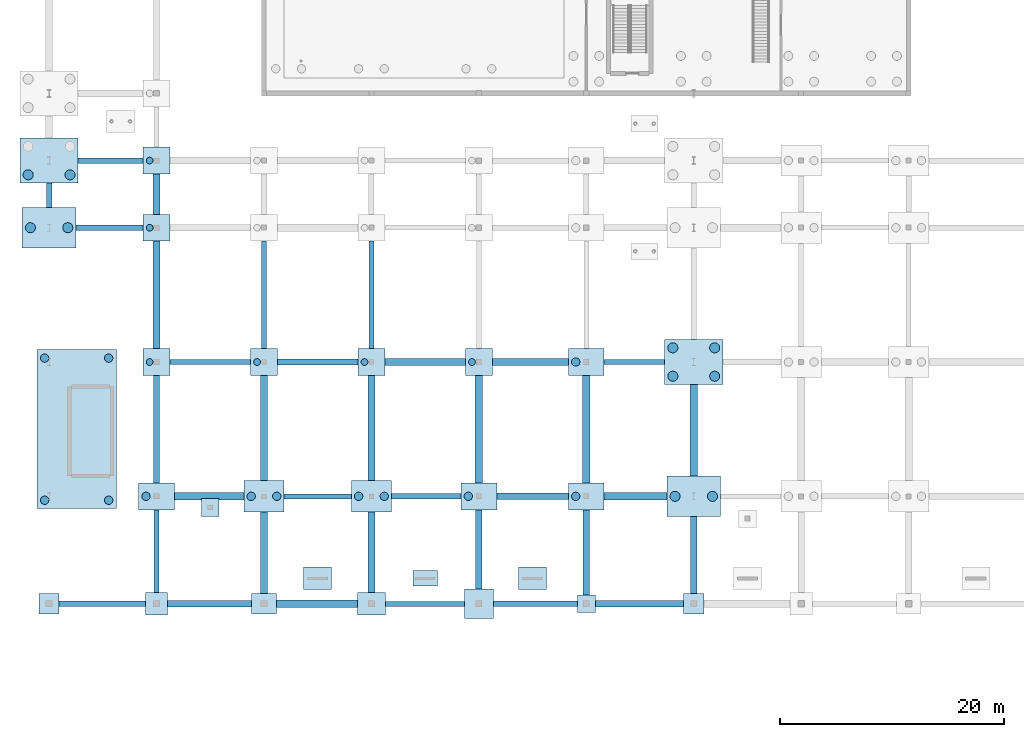
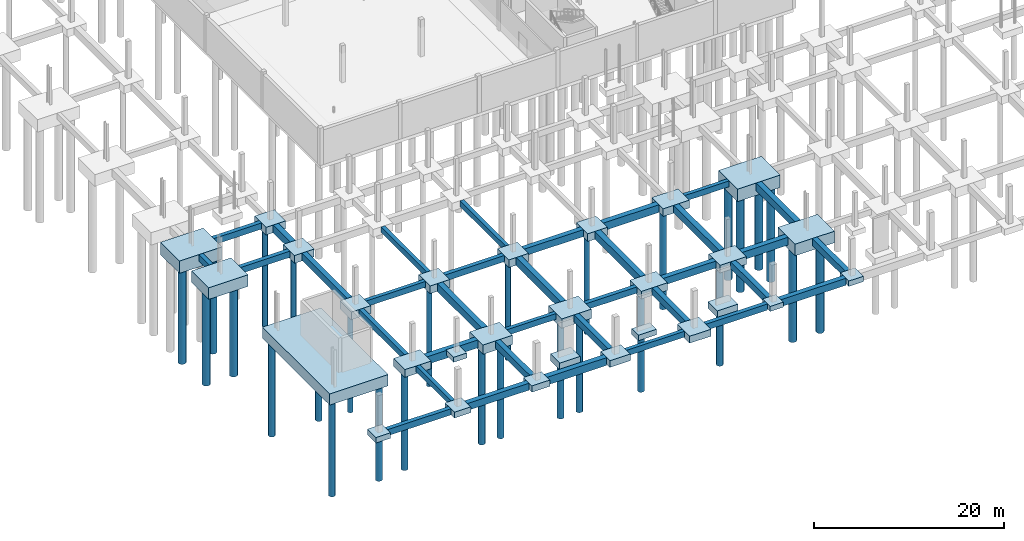
# One storey, part 1 of 31: 63 footings, 28 piles.
"""IFC4 building model written with IfcOpenShell, lengths in metres."""

from ifc_helpers import new_model, si_unit, direction, frame, origin, origin_2d, place, context, subcontext, project, spatial, rectangle, circle, extrude, material, layer, layer_set, material_profile, profile_set, type_object, element, save


model = new_model("IFC4")

# Units and contexts
model_context = context("Model", 3, precision=1e-05, world=origin(), true_north=direction((0.0, 1.0)))
body_context = subcontext(model_context, "Body", "Model", "MODEL_VIEW")
ifc_project = project(units=[si_unit("LENGTHUNIT", "METRE"), si_unit("AREAUNIT", "SQUARE_METRE"), si_unit("VOLUMEUNIT", "CUBIC_METRE"), si_unit("PLANEANGLEUNIT", "RADIAN"), si_unit("MASSUNIT", "GRAM", prefix="KILO")], contexts=[model_context])

# Site, building, storey
site_placement = place(None, origin())
site = spatial("IfcSite", under=ifc_project, at=site_placement, CompositionType="ELEMENT")
building_placement = place(site_placement, origin())
building = spatial("IfcBuilding", under=site, at=building_placement, Name="Merenkruunu Market Hall", CompositionType="ELEMENT")
storey_placement = place(building_placement, frame((0.0, 0.0, -4.800048828125)))
storey = spatial("IfcBuildingStorey", under=building, at=storey_placement, Name="B1", CompositionType="ELEMENT", Elevation=-4.800048828125)

# Footings
ifc_material = material(Name="Concrete C35/45", Category="concrete")
ifc_layer_1 = layer(ifc_material, 1.0)
ifc_layer_set_1 = layer_set([ifc_layer_1], Name="Concrete C35/45")
footing_type_1 = type_object("IfcFootingType", Name="Multi Pile Cap PC01", PredefinedType="PILE_CAP", material=ifc_layer_set_1)
for number, where, z_axis, x_axis, name in (
    (1, (9.60009765625, 27.60009765625, -1.0), (0.0, 0.0, 1.0), (1.0, 0.0, 0.0), "FTG-CAP-B-04"),
    (2, (9.60009765625, 39.60009765625, -1.0), (0.0, 0.0, 1.0), (1.0, 0.0, 0.0), "FTG-CAP-B-05"),
    (3, (9.60009765625, 45.60009765625, -1.0), (0.0, 0.0, 1.0), (1.0, 0.0, 0.0), "FTG-CAP-B-06"),
    (4, (19.199951171875, 27.60009765625, -1.0), (0.0, 0.0, 1.0), (1.0, 0.0, 0.0), "FTG-CAP-C-04"),
    (5, (28.800048828125, 27.60009765625, -1.0), (0.0, 0.0, 1.0), (1.0, 0.0, 0.0), "FTG-CAP-D-04"),
    (6, (38.39990234375, 27.60009765625, -1.0), (0.0, 0.0, 1.0), (1.0, 0.0, 0.0), "FTG-CAP-E-04"),
):
    element("IfcFooting", number, at=place(storey_placement, frame(where, z_axis=z_axis, x_axis=x_axis)), inside=storey, type_object=footing_type_1, Name=name, PredefinedType="PILE_CAP", context=body_context, shape_type="SweptSolid", body=[
        extrude(rectangle(XDim=2.39990234375, YDim=2.39990234375, at=origin_2d()), origin(), (0.0, 0.0, 1.0), 1.0),
    ])
ifc_layer_2 = layer(ifc_material, 1.0)
ifc_layer_set_2 = layer_set([ifc_layer_2], Name="Concrete C35/45")
footing_type_2 = type_object("IfcFootingType", Name="Multi Pile Cap PC03", PredefinedType="PILE_CAP", material=ifc_layer_set_2)
for number, where, z_axis, x_axis, name in (
    (7, (9.60009765625, 15.60009765625, -1.0), (0.0, 0.0, 1.0), (1.0, 0.0, 0.0), "FTG-CAP-B-03"),
    (8, (38.39990234375, 15.60009765625, -1.0), (0.0, 0.0, 1.0), (1.0, 0.0, 0.0), "FTG-CAP-E-03"),
    (9, (48.0, 15.60009765625, -1.0), (0.0, 0.0, 1.0), (1.0, 0.0, 0.0), "FTG-CAP-F-03"),
    (10, (48.0, 27.60009765625, -1.0), (0.0, 0.0, 1.0), (1.0, 0.0, 0.0), "FTG-CAP-F-04"),
):
    element("IfcFooting", number, at=place(storey_placement, frame(where, z_axis=z_axis, x_axis=x_axis)), inside=storey, type_object=footing_type_2, Name=name, PredefinedType="PILE_CAP", context=body_context, shape_type="SweptSolid", body=[
        extrude(rectangle(XDim=3.199951171875, YDim=2.39990234375, at=origin_2d()), origin(), (0.0, 0.0, 1.0), 1.0),
    ])
ifc_layer_3 = layer(ifc_material, 1.199951171875)
ifc_layer_set_3 = layer_set([ifc_layer_3], Name="Concrete C35/45")
footing_type_3 = type_object("IfcFootingType", Name="Multi Pile Cap PC04", PredefinedType="PILE_CAP", material=ifc_layer_set_3)
for number, where, z_axis, x_axis, name in (
    (11, (19.199951171875, 15.60009765625, -1.19970703125), (0.0, 0.0, 1.0), (1.0, 0.0, 0.0), "FTG-CAP-C-03"),
    (12, (28.800048828125, 15.60009765625, -1.19970703125), (0.0, 0.0, 1.0), (1.0, 0.0, 0.0), "FTG-CAP-D-03"),
):
    element("IfcFooting", number, at=place(storey_placement, frame(where, z_axis=z_axis, x_axis=x_axis)), inside=storey, type_object=footing_type_3, Name=name, PredefinedType="PILE_CAP", context=body_context, shape_type="SweptSolid", body=[
        extrude(rectangle(XDim=3.60009765625, YDim=2.800048828125, at=origin_2d()), origin(), (0.0, 0.0, 1.0), 1.199951171875),
    ])
ifc_layer_4 = layer(ifc_material, 1.5)
ifc_layer_set_4 = layer_set([ifc_layer_4], Name="Concrete C35/45")
footing_type_4 = type_object("IfcFootingType", Name="Multi Pile Cap PC07", PredefinedType="PILE_CAP", material=ifc_layer_set_4)
for number, where, z_axis, x_axis, name in (
    (13, (0.0, 39.60009765625, -1.5), (0.0, 0.0, 1.0), (1.0, 0.0, 0.0), "FTG-CAP-A-05"),
    (14, (57.60009765625, 15.60009765625, -1.5), (0.0, 0.0, 1.0), (1.0, 0.0, 0.0), "FTG-CAP-G-03"),
):
    element("IfcFooting", number, at=place(storey_placement, frame(where, z_axis=z_axis, x_axis=x_axis)), inside=storey, type_object=footing_type_4, Name=name, PredefinedType="PILE_CAP", context=body_context, shape_type="SweptSolid", body=[
        extrude(rectangle(XDim=4.800048828125, YDim=3.60009765625, at=origin_2d()), origin(), (0.0, 0.0, 1.0), 1.5),
    ])
ifc_layer_5 = layer(ifc_material, 1.60009765625)
ifc_layer_set_5 = layer_set([ifc_layer_5], Name="Concrete C35/45")
footing_type_5 = type_object("IfcFootingType", Name="Multi Pile Cap PC08", PredefinedType="PILE_CAP", material=ifc_layer_set_5)
for number, where, z_axis, x_axis, name in (
    (15, (0.0, 45.60009765625, -1.60009765625), (0.0, 0.0, 1.0), (1.0, 0.0, 0.0), "FTG-CAP-A-06"),
    (16, (57.60009765625, 27.60009765625, -1.60009765625), (0.0, 0.0, 1.0), (1.0, 0.0, 0.0), "FTG-CAP-G-04"),
):
    element("IfcFooting", number, at=place(storey_placement, frame(where, z_axis=z_axis, x_axis=x_axis)), inside=storey, type_object=footing_type_5, Name=name, PredefinedType="PILE_CAP", context=body_context, shape_type="SweptSolid", body=[
        extrude(rectangle(XDim=5.199951171875, YDim=4.0, at=origin_2d()), origin(), (0.0, 0.0, 1.0), 1.60009765625),
    ])
ifc_layer_6 = layer(ifc_material, 1.449951171875)
ifc_layer_set_6 = layer_set([ifc_layer_6], Name="Concrete C35/45")
footing_type_6 = type_object("IfcFootingType", Name="Multi Pile Cap PC09", PredefinedType="PILE_CAP", material=ifc_layer_set_6)
footing_1_placement = place(storey_placement, frame((2.4599609375, 21.60009765625, -1.44970703125), z_axis=(0.0, 0.0, 1.0), x_axis=(1.0, 0.0, 0.0)))
element("IfcFooting", 17, at=footing_1_placement, inside=storey, type_object=footing_type_6, Name="FTG-CORECAP-K2", PredefinedType="PILE_CAP", context=body_context, shape_type="SweptSolid", body=[
    extrude(rectangle(XDim=7.1201171875, YDim=14.199951171875, at=origin_2d()), origin(), (0.0, 0.0, 1.0), 1.449951171875),
])

# Piles
ifc_material_profile_1 = material_profile(ifc_material, circle(Radius=0.300048828125, at=origin_2d()), Name="BORED PILE 600")
ifc_profile_set_1 = profile_set([ifc_material_profile_1], Name="Concrete C35/45")
pile_type_1 = type_object("IfcPileType", Name="Rock Socketed Bored Pile P01", PredefinedType="BORED", material=ifc_profile_set_1)
for number, where, z_axis, x_axis, name in (
    (18, (8.97998046875, 27.60009765625, -0.89990234375), (0.0, 0.0, -1.0), (1.0, 0.0, 0.0), "PILE-P01-0221"),
    (19, (8.97998046875, 39.60009765625, -0.89990234375), (0.0, 0.0, -1.0), (1.0, 0.0, 0.0), "PILE-P01-0222"),
    (20, (8.97998046875, 45.60009765625, -0.89990234375), (0.0, 0.0, -1.0), (1.0, 0.0, 0.0), "PILE-P01-0223"),
    (21, (18.580078125, 27.60009765625, -0.89990234375), (0.0, 0.0, -1.0), (1.0, 0.0, 0.0), "PILE-P01-0232"),
    (22, (28.179931640625, 27.60009765625, -0.89990234375), (0.0, 0.0, -1.0), (1.0, 0.0, 0.0), "PILE-P01-0237"),
    (23, (37.780029296875, 27.60009765625, -0.89990234375), (0.0, 0.0, -1.0), (1.0, 0.0, 0.0), "PILE-P01-0241"),
):
    element("IfcPile", number, at=place(storey_placement, frame(where, z_axis=z_axis, x_axis=x_axis)), inside=storey, type_object=pile_type_1, Name=name, PredefinedType="BORED", context=body_context, shape_type="SweptSolid", body=[
        extrude(circle(Radius=0.300048828125, at=origin_2d()), origin(), (0.0, 0.0, 1.0), 12.800048828125),
    ])
ifc_material_profile_2 = material_profile(ifc_material, circle(Radius=0.375, at=origin_2d()), Name="BORED PILE 750")
ifc_profile_set_2 = profile_set([ifc_material_profile_2], Name="Concrete C35/45")
pile_type_2 = type_object("IfcPileType", Name="Rock Socketed Bored Pile P02", PredefinedType="BORED", material=ifc_profile_set_2)
for number, where, z_axis, x_axis, name in (
    (24, (-0.39990234375, 15.25, -1.349853515625), (0.0, 0.0, -1.0), (1.0, 0.0, 0.0), "PILE-P02-0172"),
    (25, (5.320068359375, 15.25, -1.349853515625), (0.0, 0.0, -1.0), (1.0, 0.0, 0.0), "PILE-P02-0173"),
    (26, (-0.39990234375, 27.949951171875, -1.349853515625), (0.0, 0.0, -1.0), (1.0, 0.0, 0.0), "PILE-P02-0174"),
    (27, (5.320068359375, 27.949951171875, -1.349853515625), (0.0, 0.0, -1.0), (1.0, 0.0, 0.0), "PILE-P02-0175"),
):
    element("IfcPile", number, at=place(storey_placement, frame(where, z_axis=z_axis, x_axis=x_axis)), inside=storey, type_object=pile_type_2, Name=name, PredefinedType="BORED", context=body_context, shape_type="SweptSolid", body=[
        extrude(circle(Radius=0.375, at=origin_2d()), origin(), (0.0, 0.0, 1.0), 12.35009765625),
    ])
pile_placement = place(storey_placement, frame((8.655029296875, 15.60009765625, -0.89990234375), z_axis=(0.0, 0.0, -1.0), x_axis=(1.0, 0.0, 0.0)))
element("IfcPile", 28, at=pile_placement, inside=storey, type_object=pile_type_2, Name="PILE-P02-0220", PredefinedType="BORED", context=body_context, shape_type="SweptSolid", body=[
    extrude(circle(Radius=0.375, at=origin_2d()), origin(), (0.0, 0.0, 1.0), 12.800048828125),
])
for number, where, z_axis, x_axis, name in (
    (29, (18.054931640625, 15.60009765625, -1.099853515625), (0.0, 0.0, -1.0), (1.0, 0.0, 0.0), "PILE-P02-0230"),
    (30, (20.344970703125, 15.60009765625, -1.099853515625), (0.0, 0.0, -1.0), (1.0, 0.0, 0.0), "PILE-P02-0231"),
    (31, (27.655029296875, 15.60009765625, -1.099853515625), (0.0, 0.0, -1.0), (1.0, 0.0, 0.0), "PILE-P02-0235"),
    (32, (29.945068359375, 15.60009765625, -1.099853515625), (0.0, 0.0, -1.0), (1.0, 0.0, 0.0), "PILE-P02-0236"),
):
    element("IfcPile", number, at=place(storey_placement, frame(where, z_axis=z_axis, x_axis=x_axis)), inside=storey, type_object=pile_type_2, Name=name, PredefinedType="BORED", context=body_context, shape_type="SweptSolid", body=[
        extrude(circle(Radius=0.375, at=origin_2d()), origin(), (0.0, 0.0, 1.0), 12.60009765625),
    ])
for number, where, z_axis, x_axis, name in (
    (33, (37.455078125, 15.60009765625, -0.89990234375), (0.0, 0.0, -1.0), (1.0, 0.0, 0.0), "PILE-P02-0240"),
    (34, (47.054931640625, 15.60009765625, -0.89990234375), (0.0, 0.0, -1.0), (1.0, 0.0, 0.0), "PILE-P02-0244"),
    (35, (47.054931640625, 27.60009765625, -0.89990234375), (0.0, 0.0, -1.0), (1.0, 0.0, 0.0), "PILE-P02-0245"),
):
    element("IfcPile", number, at=place(storey_placement, frame(where, z_axis=z_axis, x_axis=x_axis)), inside=storey, type_object=pile_type_2, Name=name, PredefinedType="BORED", context=body_context, shape_type="SweptSolid", body=[
        extrude(circle(Radius=0.375, at=origin_2d()), origin(), (0.0, 0.0, 1.0), 12.800048828125),
    ])
ifc_material_profile_3 = material_profile(ifc_material, circle(Radius=0.449951171875, at=origin_2d()), Name="BORED PILE 900")
ifc_profile_set_3 = profile_set([ifc_material_profile_3], Name="Concrete C35/45")
pile_type_3 = type_object("IfcPileType", Name="Rock Socketed Bored Pile P04", PredefinedType="BORED", material=ifc_profile_set_3)
for number, where, z_axis, x_axis, name in (
    (36, (-1.669921875, 39.60009765625, -1.39990234375), (0.0, 0.0, -1.0), (1.0, 0.0, 0.0), "PILE-P04-0196"),
    (37, (1.669921875, 39.60009765625, -1.39990234375), (0.0, 0.0, -1.0), (1.0, 0.0, 0.0), "PILE-P04-0197"),
):
    element("IfcPile", number, at=place(storey_placement, frame(where, z_axis=z_axis, x_axis=x_axis)), inside=storey, type_object=pile_type_3, Name=name, PredefinedType="BORED", context=body_context, shape_type="SweptSolid", body=[
        extrude(circle(Radius=0.449951171875, at=origin_2d()), origin(), (0.0, 0.0, 1.0), 12.300048828125),
    ])
for number, where, z_axis, x_axis, name in (
    (38, (-1.8701171875, 44.330078125, -1.5), (0.0, 0.0, -1.0), (1.0, 0.0, 0.0), "PILE-P04-0198"),
    (39, (1.8701171875, 44.330078125, -1.5), (0.0, 0.0, -1.0), (1.0, 0.0, 0.0), "PILE-P04-0199"),
):
    element("IfcPile", number, at=place(storey_placement, frame(where, z_axis=z_axis, x_axis=x_axis)), inside=storey, type_object=pile_type_3, Name=name, PredefinedType="BORED", context=body_context, shape_type="SweptSolid", body=[
        extrude(circle(Radius=0.449951171875, at=origin_2d()), origin(), (0.0, 0.0, 1.0), 12.199951171875),
    ])
for number, where, z_axis, x_axis, name in (
    (40, (55.929931640625, 15.60009765625, -1.39990234375), (0.0, 0.0, -1.0), (1.0, 0.0, 0.0), "PILE-P04-0248"),
    (41, (59.27001953125, 15.60009765625, -1.39990234375), (0.0, 0.0, -1.0), (1.0, 0.0, 0.0), "PILE-P04-0249"),
):
    element("IfcPile", number, at=place(storey_placement, frame(where, z_axis=z_axis, x_axis=x_axis)), inside=storey, type_object=pile_type_3, Name=name, PredefinedType="BORED", context=body_context, shape_type="SweptSolid", body=[
        extrude(circle(Radius=0.449951171875, at=origin_2d()), origin(), (0.0, 0.0, 1.0), 12.300048828125),
    ])
for number, where, z_axis, x_axis, name in (
    (42, (55.72998046875, 26.330078125, -1.5), (0.0, 0.0, -1.0), (1.0, 0.0, 0.0), "PILE-P04-0250"),
    (43, (59.469970703125, 26.330078125, -1.5), (0.0, 0.0, -1.0), (1.0, 0.0, 0.0), "PILE-P04-0251"),
    (44, (55.72998046875, 28.8701171875, -1.5), (0.0, 0.0, -1.0), (1.0, 0.0, 0.0), "PILE-P04-0252"),
    (45, (59.469970703125, 28.8701171875, -1.5), (0.0, 0.0, -1.0), (1.0, 0.0, 0.0), "PILE-P04-0253"),
):
    element("IfcPile", number, at=place(storey_placement, frame(where, z_axis=z_axis, x_axis=x_axis)), inside=storey, type_object=pile_type_3, Name=name, PredefinedType="BORED", context=body_context, shape_type="SweptSolid", body=[
        extrude(circle(Radius=0.449951171875, at=origin_2d()), origin(), (0.0, 0.0, 1.0), 12.199951171875),
    ])

# Footings
ifc_layer_7 = layer(ifc_material, 0.699951171875)
ifc_layer_set_7 = layer_set([ifc_layer_7], Name="Concrete C35/45")
footing_type_7 = type_object("IfcFootingType", Name="Spread Pad Footing PF01", PredefinedType="PAD_FOOTING", material=ifc_layer_set_7)
for number, where, z_axis, x_axis, name in (
    (46, (0.0, 6.0, -0.69970703125), (0.0, 0.0, 1.0), (1.0, 0.0, 0.0), "FTG-PAD-A-02"),
    (47, (57.60009765625, 6.0, -0.69970703125), (0.0, 0.0, 1.0), (1.0, 0.0, 0.0), "FTG-PAD-G-02"),
):
    element("IfcFooting", number, at=place(storey_placement, frame(where, z_axis=z_axis, x_axis=x_axis)), inside=storey, type_object=footing_type_7, Name=name, PredefinedType="PAD_FOOTING", context=body_context, shape_type="SweptSolid", body=[
        extrude(rectangle(XDim=1.800048828125, YDim=1.800048828125, at=origin_2d()), origin(), (0.0, 0.0, 1.0), 0.699951171875),
    ])
ifc_layer_8 = layer(ifc_material, 0.75)
ifc_layer_set_8 = layer_set([ifc_layer_8], Name="Concrete C35/45")
footing_type_8 = type_object("IfcFootingType", Name="Spread Pad Footing PF02", PredefinedType="PAD_FOOTING", material=ifc_layer_set_8)
footing_2_placement = place(storey_placement, frame((9.60009765625, 6.0, -0.75), z_axis=(0.0, 0.0, 1.0), x_axis=(1.0, 0.0, 0.0)))
element("IfcFooting", 48, at=footing_2_placement, inside=storey, type_object=footing_type_8, Name="FTG-PAD-B-02", PredefinedType="PAD_FOOTING", context=body_context, shape_type="SweptSolid", body=[
    extrude(rectangle(XDim=2.0, YDim=2.0, at=origin_2d()), origin(), (0.0, 0.0, 1.0), 0.75),
])
ifc_layer_9 = layer(ifc_material, 0.800048828125)
ifc_layer_set_9 = layer_set([ifc_layer_9], Name="Concrete C35/45")
footing_type_9 = type_object("IfcFootingType", Name="Spread Pad Footing PF03", PredefinedType="PAD_FOOTING", material=ifc_layer_set_9)
footing_3_placement = place(storey_placement, frame((19.199951171875, 6.0, -0.7998046875), z_axis=(0.0, 0.0, 1.0), x_axis=(1.0, 0.0, 0.0)))
element("IfcFooting", 49, at=footing_3_placement, inside=storey, type_object=footing_type_9, Name="FTG-PAD-C-02", PredefinedType="PAD_FOOTING", context=body_context, shape_type="SweptSolid", body=[
    extrude(rectangle(XDim=2.199951171875, YDim=1.800048828125, at=origin_2d()), origin(), (0.0, 0.0, 1.0), 0.800048828125),
])
ifc_layer_10 = layer(ifc_material, 0.85009765625)
ifc_layer_set_10 = layer_set([ifc_layer_10], Name="Concrete C35/45")
footing_type_10 = type_object("IfcFootingType", Name="Spread Pad Footing PF04", PredefinedType="PAD_FOOTING", material=ifc_layer_set_10)
for number, where, z_axis, x_axis, name in (
    (50, (28.800048828125, 6.0, -0.85009765625), (0.0, 0.0, 1.0), (1.0, 0.0, 0.0), "FTG-PAD-D-02"),
    (51, (24.0, 8.27001953125, -0.85009765625), (0.0, 0.0, 1.0), (1.0, 0.0, 0.0), "FTG-RMPPAD-01"),
    (52, (43.199951171875, 8.27001953125, -0.85009765625), (0.0, 0.0, 1.0), (1.0, 0.0, 0.0), "FTG-RMPPAD-03"),
):
    element("IfcFooting", number, at=place(storey_placement, frame(where, z_axis=z_axis, x_axis=x_axis)), inside=storey, type_object=footing_type_10, Name=name, PredefinedType="PAD_FOOTING", context=body_context, shape_type="SweptSolid", body=[
        extrude(rectangle(XDim=2.5, YDim=2.0, at=origin_2d()), origin(), (0.0, 0.0, 1.0), 0.85009765625),
    ])
ifc_layer_11 = layer(ifc_material, 0.89990234375)
ifc_layer_set_11 = layer_set([ifc_layer_11], Name="Concrete C35/45")
footing_type_11 = type_object("IfcFootingType", Name="Spread Pad Footing PF05", PredefinedType="PAD_FOOTING", material=ifc_layer_set_11)
footing_4_placement = place(storey_placement, frame((38.39990234375, 6.0, -0.89990234375), z_axis=(0.0, 0.0, 1.0), x_axis=(1.0, 0.0, 0.0)))
element("IfcFooting", 53, at=footing_4_placement, inside=storey, type_object=footing_type_11, Name="FTG-PAD-E-02", PredefinedType="PAD_FOOTING", context=body_context, shape_type="SweptSolid", body=[
    extrude(rectangle(XDim=2.60009765625, YDim=2.60009765625, at=origin_2d()), origin(), (0.0, 0.0, 1.0), 0.89990234375),
])
ifc_layer_12 = layer(ifc_material, 0.64990234375)
ifc_layer_set_12 = layer_set([ifc_layer_12], Name="Concrete C35/45")
footing_type_12 = type_object("IfcFootingType", Name="Spread Pad Footing PF06", PredefinedType="PAD_FOOTING", material=ifc_layer_set_12)
for number, where, z_axis, x_axis, name in (
    (54, (48.0, 6.0, -0.64990234375), (0.0, 0.0, 1.0), (1.0, 0.0, 0.0), "FTG-PAD-F-02"),
    (55, (14.39990234375, 14.60009765625, -0.64990234375), (0.0, 0.0, 1.0), (1.0, 0.0, 0.0), "FTG-APRONPAD-01"),
):
    element("IfcFooting", number, at=place(storey_placement, frame(where, z_axis=z_axis, x_axis=x_axis)), inside=storey, type_object=footing_type_12, Name=name, PredefinedType="PAD_FOOTING", context=body_context, shape_type="SweptSolid", body=[
        extrude(rectangle(XDim=1.60009765625, YDim=1.60009765625, at=origin_2d()), origin(), (0.0, 0.0, 1.0), 0.64990234375),
    ])
ifc_layer_13 = layer(ifc_material, 0.719970703125)
ifc_layer_set_13 = layer_set([ifc_layer_13], Name="Concrete C35/45")
footing_type_13 = type_object("IfcFootingType", Name="Spread Pad Footing PF07", PredefinedType="PAD_FOOTING", material=ifc_layer_set_13)
footing_5_placement = place(storey_placement, frame((33.60009765625, 8.27001953125, -0.7197265625), z_axis=(0.0, 0.0, 1.0), x_axis=(1.0, 0.0, 0.0)))
element("IfcFooting", 56, at=footing_5_placement, inside=storey, type_object=footing_type_13, Name="FTG-RMPPAD-02", PredefinedType="PAD_FOOTING", context=body_context, shape_type="SweptSolid", body=[
    extrude(rectangle(XDim=2.199951171875, YDim=1.39990234375, at=origin_2d()), origin(), (0.0, 0.0, 1.0), 0.719970703125),
])
ifc_layer_14 = layer(ifc_material, 0.800048828125)
ifc_layer_set_14 = layer_set([ifc_layer_14], Name="Concrete C35/45")
footing_type_14 = type_object("IfcFootingType", Name="Tie Ground Beam GB01", PredefinedType="FOOTING_BEAM", material=ifc_layer_set_14)
footing_6_placement = place(storey_placement, frame((4.75, 6.0, -0.7998046875), z_axis=(0.0, 0.0, 1.0), x_axis=(1.0, 0.0, 0.0)))
element("IfcFooting", 57, at=footing_6_placement, inside=storey, type_object=footing_type_14, Name="FTG-GB-EW-005", PredefinedType="FOOTING_BEAM", context=body_context, shape_type="SweptSolid", body=[
    extrude(rectangle(XDim=7.699951171875, YDim=0.5, at=origin_2d()), origin(), (0.0, 0.0, 1.0), 0.800048828125),
])
footing_7_placement = place(storey_placement, frame((43.449951171875, 6.0, -0.7998046875), z_axis=(0.0, 0.0, 1.0), x_axis=(1.0, 0.0, 0.0)))
element("IfcFooting", 58, at=footing_7_placement, inside=storey, type_object=footing_type_14, Name="FTG-GB-EW-009", PredefinedType="FOOTING_BEAM", context=body_context, shape_type="SweptSolid", body=[
    extrude(rectangle(XDim=7.5, YDim=0.5, at=origin_2d()), origin(), (0.0, 0.0, 1.0), 0.800048828125),
])
footing_8_placement = place(storey_placement, frame((33.699951171875, 15.60009765625, -0.7998046875), z_axis=(0.0, 0.0, 1.0), x_axis=(1.0, 0.0, 0.0)))
element("IfcFooting", 59, at=footing_8_placement, inside=storey, type_object=footing_type_14, Name="FTG-GB-EW-021", PredefinedType="FOOTING_BEAM", context=body_context, shape_type="SweptSolid", body=[
    extrude(rectangle(XDim=6.199951171875, YDim=0.5, at=origin_2d()), origin(), (0.0, 0.0, 1.0), 0.800048828125),
])
footing_9_placement = place(storey_placement, frame((24.0, 27.60009765625, -0.7998046875), z_axis=(0.0, 0.0, 1.0), x_axis=(1.0, 0.0, 0.0)))
element("IfcFooting", 60, at=footing_9_placement, inside=storey, type_object=footing_type_14, Name="FTG-GB-EW-033", PredefinedType="FOOTING_BEAM", context=body_context, shape_type="SweptSolid", body=[
    extrude(rectangle(XDim=7.199951171875, YDim=0.5, at=origin_2d()), origin(), (0.0, 0.0, 1.0), 0.800048828125),
])
footing_10_placement = place(storey_placement, frame((5.39990234375, 39.60009765625, -0.7998046875), z_axis=(0.0, 0.0, 1.0), x_axis=(1.0, 0.0, 0.0)))
element("IfcFooting", 61, at=footing_10_placement, inside=storey, type_object=footing_type_14, Name="FTG-GB-EW-045", PredefinedType="FOOTING_BEAM", context=body_context, shape_type="SweptSolid", body=[
    extrude(rectangle(XDim=6.0, YDim=0.5, at=origin_2d()), origin(), (0.0, 0.0, 1.0), 0.800048828125),
])
footing_11_placement = place(storey_placement, frame((5.5, 45.60009765625, -0.7998046875), z_axis=(0.0, 0.0, 1.0), x_axis=(1.0, 0.0, 0.0)))
element("IfcFooting", 62, at=footing_11_placement, inside=storey, type_object=footing_type_14, Name="FTG-GB-EW-061", PredefinedType="FOOTING_BEAM", context=body_context, shape_type="SweptSolid", body=[
    extrude(rectangle(XDim=5.800048828125, YDim=0.5, at=origin_2d()), origin(), (0.0, 0.0, 1.0), 0.800048828125),
])
footing_12_placement = place(storey_placement, frame((0.0, 42.5, -0.7998046875), z_axis=(0.0, 0.0, 1.0), x_axis=(0.0, 1.0, 0.0)))
element("IfcFooting", 63, at=footing_12_placement, inside=storey, type_object=footing_type_14, Name="FTG-GB-NS-093", PredefinedType="FOOTING_BEAM", context=body_context, shape_type="SweptSolid", body=[
    extrude(rectangle(XDim=2.199951171875, YDim=0.5, at=origin_2d()), origin(), (0.0, 0.0, 1.0), 0.800048828125),
])
footing_13_placement = place(storey_placement, frame((9.60009765625, 21.60009765625, -0.7998046875), z_axis=(0.0, 0.0, 1.0), x_axis=(0.0, 1.0, 0.0)))
element("IfcFooting", 64, at=footing_13_placement, inside=storey, type_object=footing_type_14, Name="FTG-GB-NS-101", PredefinedType="FOOTING_BEAM", context=body_context, shape_type="SweptSolid", body=[
    extrude(rectangle(XDim=9.60009765625, YDim=0.5, at=origin_2d()), origin(), (0.0, 0.0, 1.0), 0.800048828125),
])
ifc_layer_15 = layer(ifc_material, 0.89990234375)
ifc_layer_set_15 = layer_set([ifc_layer_15], Name="Concrete C35/45")
footing_type_15 = type_object("IfcFootingType", Name="Tie Ground Beam GB02", PredefinedType="FOOTING_BEAM", material=ifc_layer_set_15)
footing_14_placement = place(storey_placement, frame((14.35009765625, 6.0, -0.89990234375), z_axis=(0.0, 0.0, 1.0), x_axis=(1.0, 0.0, 0.0)))
element("IfcFooting", 65, at=footing_14_placement, inside=storey, type_object=footing_type_15, Name="FTG-GB-EW-006", PredefinedType="FOOTING_BEAM", context=body_context, shape_type="SweptSolid", body=[
    extrude(rectangle(XDim=7.5, YDim=0.60009765625, at=origin_2d()), origin(), (0.0, 0.0, 1.0), 0.89990234375),
])
footing_15_placement = place(storey_placement, frame((52.75, 6.0, -0.89990234375), z_axis=(0.0, 0.0, 1.0), x_axis=(1.0, 0.0, 0.0)))
element("IfcFooting", 66, at=footing_15_placement, inside=storey, type_object=footing_type_15, Name="FTG-GB-EW-010", PredefinedType="FOOTING_BEAM", context=body_context, shape_type="SweptSolid", body=[
    extrude(rectangle(XDim=7.89990234375, YDim=0.60009765625, at=origin_2d()), origin(), (0.0, 0.0, 1.0), 0.89990234375),
])
footing_16_placement = place(storey_placement, frame((43.199951171875, 15.60009765625, -0.89990234375), z_axis=(0.0, 0.0, 1.0), x_axis=(1.0, 0.0, 0.0)))
element("IfcFooting", 67, at=footing_16_placement, inside=storey, type_object=footing_type_15, Name="FTG-GB-EW-022", PredefinedType="FOOTING_BEAM", context=body_context, shape_type="SweptSolid", body=[
    extrude(rectangle(XDim=6.39990234375, YDim=0.60009765625, at=origin_2d()), origin(), (0.0, 0.0, 1.0), 0.89990234375),
])
footing_17_placement = place(storey_placement, frame((33.60009765625, 27.60009765625, -0.89990234375), z_axis=(0.0, 0.0, 1.0), x_axis=(1.0, 0.0, 0.0)))
element("IfcFooting", 68, at=footing_17_placement, inside=storey, type_object=footing_type_15, Name="FTG-GB-EW-034", PredefinedType="FOOTING_BEAM", context=body_context, shape_type="SweptSolid", body=[
    extrude(rectangle(XDim=7.199951171875, YDim=0.60009765625, at=origin_2d()), origin(), (0.0, 0.0, 1.0), 0.89990234375),
])
footing_18_placement = place(storey_placement, frame((9.60009765625, 33.60009765625, -0.89990234375), z_axis=(0.0, 0.0, 1.0), x_axis=(0.0, 1.0, 0.0)))
element("IfcFooting", 69, at=footing_18_placement, inside=storey, type_object=footing_type_15, Name="FTG-GB-NS-102", PredefinedType="FOOTING_BEAM", context=body_context, shape_type="SweptSolid", body=[
    extrude(rectangle(XDim=9.60009765625, YDim=0.60009765625, at=origin_2d()), origin(), (0.0, 0.0, 1.0), 0.89990234375),
])
footing_19_placement = place(storey_placement, frame((19.199951171875, 10.550048828125, -0.89990234375), z_axis=(0.0, 0.0, 1.0), x_axis=(0.0, 1.0, 0.0)))
element("IfcFooting", 70, at=footing_19_placement, inside=storey, type_object=footing_type_15, Name="FTG-GB-NS-110", PredefinedType="FOOTING_BEAM", context=body_context, shape_type="SweptSolid", body=[
    extrude(rectangle(XDim=7.300048828125, YDim=0.60009765625, at=origin_2d()), origin(), (0.0, 0.0, 1.0), 0.89990234375),
])
footing_20_placement = place(storey_placement, frame((28.800048828125, 10.60009765625, -0.89990234375), z_axis=(0.0, 0.0, 1.0), x_axis=(0.0, 1.0, 0.0)))
element("IfcFooting", 71, at=footing_20_placement, inside=storey, type_object=footing_type_15, Name="FTG-GB-NS-114", PredefinedType="FOOTING_BEAM", context=body_context, shape_type="SweptSolid", body=[
    extrude(rectangle(XDim=7.199951171875, YDim=0.60009765625, at=origin_2d()), origin(), (0.0, 0.0, 1.0), 0.89990234375),
])
footing_21_placement = place(storey_placement, frame((38.39990234375, 10.85009765625, -0.89990234375), z_axis=(0.0, 0.0, 1.0), x_axis=(0.0, 1.0, 0.0)))
element("IfcFooting", 72, at=footing_21_placement, inside=storey, type_object=footing_type_15, Name="FTG-GB-NS-118", PredefinedType="FOOTING_BEAM", context=body_context, shape_type="SweptSolid", body=[
    extrude(rectangle(XDim=7.10009765625, YDim=0.60009765625, at=origin_2d()), origin(), (0.0, 0.0, 1.0), 0.89990234375),
])
footing_22_placement = place(storey_placement, frame((48.0, 10.60009765625, -0.89990234375), z_axis=(0.0, 0.0, 1.0), x_axis=(0.0, 1.0, 0.0)))
element("IfcFooting", 73, at=footing_22_placement, inside=storey, type_object=footing_type_15, Name="FTG-GB-NS-122", PredefinedType="FOOTING_BEAM", context=body_context, shape_type="SweptSolid", body=[
    extrude(rectangle(XDim=7.60009765625, YDim=0.60009765625, at=origin_2d()), origin(), (0.0, 0.0, 1.0), 0.89990234375),
])
footing_23_placement = place(storey_placement, frame((57.60009765625, 10.35009765625, -0.89990234375), z_axis=(0.0, 0.0, 1.0), x_axis=(0.0, 1.0, 0.0)))
element("IfcFooting", 74, at=footing_23_placement, inside=storey, type_object=footing_type_15, Name="FTG-GB-NS-126", PredefinedType="FOOTING_BEAM", context=body_context, shape_type="SweptSolid", body=[
    extrude(rectangle(XDim=6.89990234375, YDim=0.60009765625, at=origin_2d()), origin(), (0.0, 0.0, 1.0), 0.89990234375),
])
ifc_layer_16 = layer(ifc_material, 1.0)
ifc_layer_set_16 = layer_set([ifc_layer_16], Name="Concrete C35/45")
footing_type_16 = type_object("IfcFootingType", Name="Tie Ground Beam GB03", PredefinedType="FOOTING_BEAM", material=ifc_layer_set_16)
footing_24_placement = place(storey_placement, frame((23.925048828125, 6.0, -1.0), z_axis=(0.0, 0.0, 1.0), x_axis=(1.0, 0.0, 0.0)))
element("IfcFooting", 75, at=footing_24_placement, inside=storey, type_object=footing_type_16, Name="FTG-GB-EW-007", PredefinedType="FOOTING_BEAM", context=body_context, shape_type="SweptSolid", body=[
    extrude(rectangle(XDim=7.25, YDim=0.64990234375, at=origin_2d()), origin(), (0.0, 0.0, 1.0), 1.0),
])
footing_25_placement = place(storey_placement, frame((14.300048828125, 15.60009765625, -1.0), z_axis=(0.0, 0.0, 1.0), x_axis=(1.0, 0.0, 0.0)))
element("IfcFooting", 76, at=footing_25_placement, inside=storey, type_object=footing_type_16, Name="FTG-GB-EW-019", PredefinedType="FOOTING_BEAM", context=body_context, shape_type="SweptSolid", body=[
    extrude(rectangle(XDim=6.199951171875, YDim=0.64990234375, at=origin_2d()), origin(), (0.0, 0.0, 1.0), 1.0),
])
footing_26_placement = place(storey_placement, frame((52.39990234375, 15.60009765625, -1.0), z_axis=(0.0, 0.0, 1.0), x_axis=(1.0, 0.0, 0.0)))
element("IfcFooting", 77, at=footing_26_placement, inside=storey, type_object=footing_type_16, Name="FTG-GB-EW-023", PredefinedType="FOOTING_BEAM", context=body_context, shape_type="SweptSolid", body=[
    extrude(rectangle(XDim=5.60009765625, YDim=0.64990234375, at=origin_2d()), origin(), (0.0, 0.0, 1.0), 1.0),
])
footing_27_placement = place(storey_placement, frame((43.0, 27.60009765625, -1.0), z_axis=(0.0, 0.0, 1.0), x_axis=(1.0, 0.0, 0.0)))
element("IfcFooting", 78, at=footing_27_placement, inside=storey, type_object=footing_type_16, Name="FTG-GB-EW-035", PredefinedType="FOOTING_BEAM", context=body_context, shape_type="SweptSolid", body=[
    extrude(rectangle(XDim=6.800048828125, YDim=0.64990234375, at=origin_2d()), origin(), (0.0, 0.0, 1.0), 1.0),
])
footing_28_placement = place(storey_placement, frame((9.60009765625, 42.60009765625, -1.0), z_axis=(0.0, 0.0, 1.0), x_axis=(0.0, 1.0, 0.0)))
element("IfcFooting", 79, at=footing_28_placement, inside=storey, type_object=footing_type_16, Name="FTG-GB-NS-103", PredefinedType="FOOTING_BEAM", context=body_context, shape_type="SweptSolid", body=[
    extrude(rectangle(XDim=3.60009765625, YDim=0.64990234375, at=origin_2d()), origin(), (0.0, 0.0, 1.0), 1.0),
])
for number, where, z_axis, x_axis, name in (
    (80, (19.199951171875, 21.699951171875, -1.0), (0.0, 0.0, 1.0), (0.0, 1.0, 0.0), "FTG-GB-NS-111"),
    (81, (28.800048828125, 21.699951171875, -1.0), (0.0, 0.0, 1.0), (0.0, 1.0, 0.0), "FTG-GB-NS-115"),
):
    element("IfcFooting", number, at=place(storey_placement, frame(where, z_axis=z_axis, x_axis=x_axis)), inside=storey, type_object=footing_type_16, Name=name, PredefinedType="FOOTING_BEAM", context=body_context, shape_type="SweptSolid", body=[
        extrude(rectangle(XDim=9.39990234375, YDim=0.64990234375, at=origin_2d()), origin(), (0.0, 0.0, 1.0), 1.0),
    ])
for number, where, z_axis, x_axis, name in (
    (82, (38.39990234375, 21.60009765625, -1.0), (0.0, 0.0, 1.0), (0.0, 1.0, 0.0), "FTG-GB-NS-119"),
    (83, (48.0, 21.60009765625, -1.0), (0.0, 0.0, 1.0), (0.0, 1.0, 0.0), "FTG-GB-NS-123"),
):
    element("IfcFooting", number, at=place(storey_placement, frame(where, z_axis=z_axis, x_axis=x_axis)), inside=storey, type_object=footing_type_16, Name=name, PredefinedType="FOOTING_BEAM", context=body_context, shape_type="SweptSolid", body=[
        extrude(rectangle(XDim=9.60009765625, YDim=0.64990234375, at=origin_2d()), origin(), (0.0, 0.0, 1.0), 1.0),
    ])
footing_29_placement = place(storey_placement, frame((57.60009765625, 21.5, -1.0), z_axis=(0.0, 0.0, 1.0), x_axis=(0.0, 1.0, 0.0)))
element("IfcFooting", 84, at=footing_29_placement, inside=storey, type_object=footing_type_16, Name="FTG-GB-NS-127", PredefinedType="FOOTING_BEAM", context=body_context, shape_type="SweptSolid", body=[
    extrude(rectangle(XDim=8.199951171875, YDim=0.64990234375, at=origin_2d()), origin(), (0.0, 0.0, 1.0), 1.0),
])
ifc_layer_17 = layer(ifc_material, 0.75)
ifc_layer_set_17 = layer_set([ifc_layer_17], Name="Concrete C35/45")
footing_type_17 = type_object("IfcFootingType", Name="Tie Ground Beam GB04", PredefinedType="FOOTING_BEAM", material=ifc_layer_set_17)
footing_30_placement = place(storey_placement, frame((33.574951171875, 6.0, -0.75), z_axis=(0.0, 0.0, 1.0), x_axis=(1.0, 0.0, 0.0)))
element("IfcFooting", 85, at=footing_30_placement, inside=storey, type_object=footing_type_17, Name="FTG-GB-EW-008", PredefinedType="FOOTING_BEAM", context=body_context, shape_type="SweptSolid", body=[
    extrude(rectangle(XDim=7.050048828125, YDim=0.449951171875, at=origin_2d()), origin(), (0.0, 0.0, 1.0), 0.75),
])
footing_31_placement = place(storey_placement, frame((24.0, 15.60009765625, -0.75), z_axis=(0.0, 0.0, 1.0), x_axis=(1.0, 0.0, 0.0)))
element("IfcFooting", 86, at=footing_31_placement, inside=storey, type_object=footing_type_17, Name="FTG-GB-EW-020", PredefinedType="FOOTING_BEAM", context=body_context, shape_type="SweptSolid", body=[
    extrude(rectangle(XDim=6.0, YDim=0.449951171875, at=origin_2d()), origin(), (0.0, 0.0, 1.0), 0.75),
])
footing_32_placement = place(storey_placement, frame((14.39990234375, 27.60009765625, -0.75), z_axis=(0.0, 0.0, 1.0), x_axis=(1.0, 0.0, 0.0)))
element("IfcFooting", 87, at=footing_32_placement, inside=storey, type_object=footing_type_17, Name="FTG-GB-EW-032", PredefinedType="FOOTING_BEAM", context=body_context, shape_type="SweptSolid", body=[
    extrude(rectangle(XDim=7.199951171875, YDim=0.449951171875, at=origin_2d()), origin(), (0.0, 0.0, 1.0), 0.75),
])
footing_33_placement = place(storey_placement, frame((52.300048828125, 27.60009765625, -0.75), z_axis=(0.0, 0.0, 1.0), x_axis=(1.0, 0.0, 0.0)))
element("IfcFooting", 88, at=footing_33_placement, inside=storey, type_object=footing_type_17, Name="FTG-GB-EW-036", PredefinedType="FOOTING_BEAM", context=body_context, shape_type="SweptSolid", body=[
    extrude(rectangle(XDim=5.39990234375, YDim=0.449951171875, at=origin_2d()), origin(), (0.0, 0.0, 1.0), 0.75),
])
footing_34_placement = place(storey_placement, frame((9.60009765625, 10.699951171875, -0.75), z_axis=(0.0, 0.0, 1.0), x_axis=(0.0, 1.0, 0.0)))
element("IfcFooting", 89, at=footing_34_placement, inside=storey, type_object=footing_type_17, Name="FTG-GB-NS-100", PredefinedType="FOOTING_BEAM", context=body_context, shape_type="SweptSolid", body=[
    extrude(rectangle(XDim=7.39990234375, YDim=0.449951171875, at=origin_2d()), origin(), (0.0, 0.0, 1.0), 0.75),
])
for number, where, z_axis, x_axis, name in (
    (90, (19.199951171875, 33.60009765625, -0.75), (0.0, 0.0, 1.0), (0.0, 1.0, 0.0), "FTG-GB-NS-112"),
    (91, (28.800048828125, 33.60009765625, -0.75), (0.0, 0.0, 1.0), (0.0, 1.0, 0.0), "FTG-GB-NS-116"),
):
    element("IfcFooting", number, at=place(storey_placement, frame(where, z_axis=z_axis, x_axis=x_axis)), inside=storey, type_object=footing_type_17, Name=name, PredefinedType="FOOTING_BEAM", context=body_context, shape_type="SweptSolid", body=[
        extrude(rectangle(XDim=9.60009765625, YDim=0.449951171875, at=origin_2d()), origin(), (0.0, 0.0, 1.0), 0.75),
    ])

save(model, "model.ifc")
